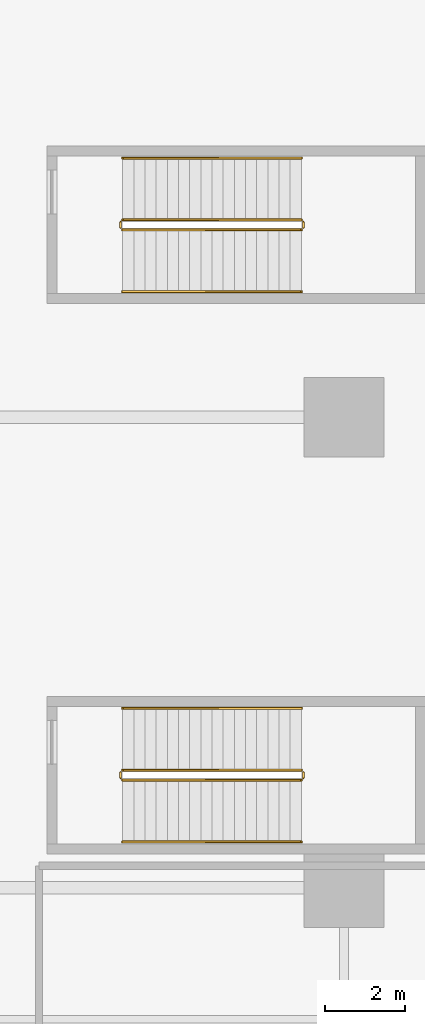
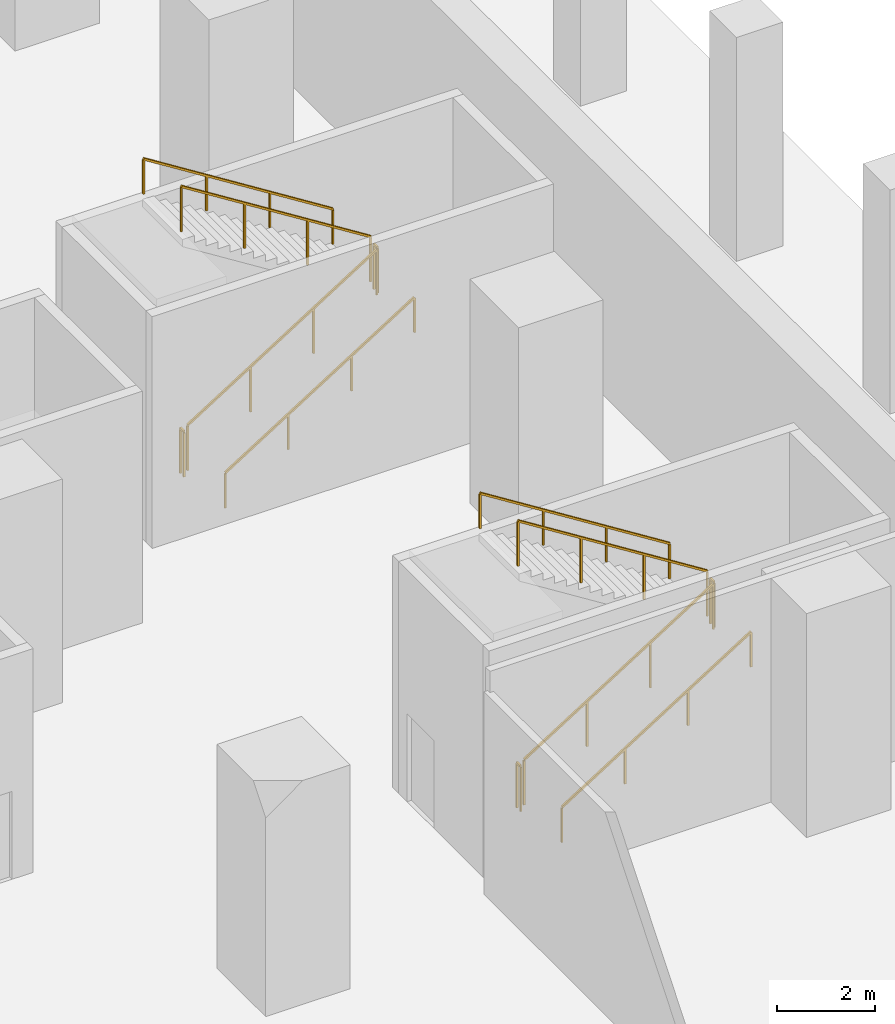
# One storey, part 15 of 16: 12 railings.
"""IFC4 building model written with IfcOpenShell, lengths in metres."""

from ifc_helpers import new_model, si_unit, direction, frame, origin, origin_2d, place, context, subcontext, project, spatial, rectangle, extrude, source, transform, mapped, material, type_object, element, save


model = new_model("IFC4")

# Units and contexts
model_context = context("Model", 3, precision=1e-05, world=origin(), true_north=direction((0.0, 1.0)))
body_context = subcontext(model_context, "Body", "Model", "MODEL_VIEW")
ifc_project = project(units=[si_unit("LENGTHUNIT", "METRE"), si_unit("AREAUNIT", "SQUARE_METRE"), si_unit("VOLUMEUNIT", "CUBIC_METRE"), si_unit("PLANEANGLEUNIT", "RADIAN"), si_unit("MASSUNIT", "GRAM", prefix="KILO")], contexts=[model_context])

# Site, building, storey
site_placement = place(None, origin())
site = spatial("IfcSite", under=ifc_project, at=site_placement, CompositionType="ELEMENT")
building_placement = place(site_placement, origin())
building = spatial("IfcBuilding", under=site, at=building_placement, Name="Vardaveli Station Tower", CompositionType="ELEMENT")
storey_placement = place(building_placement, frame((0.0, 0.0, -6.0)))
storey = spatial("IfcBuildingStorey", under=building, at=storey_placement, Name="B01", CompositionType="ELEMENT", Elevation=-6.0)

# Railings
ifc_material = material(Name="Brushed AISI 316 stainless steel", Category="steel")
railing_type_1 = type_object("IfcRailingType", Name="RL-GUARD-1150", PredefinedType="GUARDRAIL", material=ifc_material)
shared_shape_1 = source(origin(), body_context, "Body", "SweptSolid", [
    extrude(rectangle(XDim=0.048095703125, YDim=0.048095703125, at=origin_2d()), frame((0.0, 0.0, 1.1259765625), z_axis=(0.0, 1.0, 0.0), x_axis=(-1.0, 0.0, 0.0)), (0.0, 0.0, 1.0), 0.14990234375),
    extrude(rectangle(XDim=0.0419921875, YDim=0.0419921875, at=origin_2d()), origin(), (0.0, 0.0, 1.0), 1.101806640625),
    extrude(rectangle(XDim=0.0419921875, YDim=0.0419921875, at=origin_2d()), frame((0.0, 0.14990234375, 0.0)), (0.0, 0.0, 1.0), 1.101806640625),
])
for number, where, name in (
    (1, (71.780029296875, 19.85009765625, 3.0), "B01 ST-C1 stair guard 2"),
    (2, (67.199951171875, 19.85009765625, 0.0), "B01 ST-C1 stair guard 4"),
):
    element("IfcRailing", number, at=place(storey_placement, frame(where)), inside=storey, type_object=railing_type_1, Name=name, PredefinedType="GUARDRAIL", context=body_context, shape_type="MappedRepresentation", body=[
        mapped(shared_shape_1, transform((0.0, 0.0, 0.0), scale=1.0)),
    ])
shared_shape_2 = source(origin(), body_context, "Body", "SweptSolid", [
    extrude(rectangle(XDim=0.048095703125, YDim=0.048095703125, at=origin_2d()), frame((0.0, 0.0, 1.1259765625), z_axis=(0.845997938375, 0.0, 0.533186166611), x_axis=(0.0, 1.0, 0.0)), (0.0, 0.0, 1.0), 5.29541015625),
    extrude(rectangle(XDim=0.0419921875, YDim=0.0419921875, at=origin_2d()), origin(), (0.0, 0.0, 1.0), 1.101806640625),
    extrude(rectangle(XDim=0.0419921875, YDim=0.0419921875, at=origin_2d()), frame((1.493408203125, 0.0, 0.941162109375)), (0.0, 0.0, 1.0), 1.101806640625),
    extrude(rectangle(XDim=0.0419921875, YDim=0.0419921875, at=origin_2d()), frame((2.986572265625, 0.0, 1.88232421875)), (0.0, 0.0, 1.0), 1.101806640625),
    extrude(rectangle(XDim=0.0419921875, YDim=0.0419921875, at=origin_2d()), frame((4.47998046875, 0.0, 2.823486328125)), (0.0, 0.0, 1.0), 1.101806640625),
])
for number, where, name in (
    (3, (67.25, 19.800048828125, 0.176513671875), "B01 ST-C1 stair guard 1"),
    (4, (67.25, 33.60009765625, 0.176513671875), "B01 ST-C2 stair guard 1"),
):
    element("IfcRailing", number, at=place(storey_placement, frame(where)), inside=storey, type_object=railing_type_1, Name=name, PredefinedType="GUARDRAIL", context=body_context, shape_type="MappedRepresentation", body=[
        mapped(shared_shape_2, transform((0.0, 0.0, 0.0), scale=1.0)),
    ])
shared_shape_3 = source(origin(), body_context, "Body", "SweptSolid", [
    extrude(rectangle(XDim=0.048095703125, YDim=0.048095703125, at=origin_2d()), frame((0.0, 0.0, 1.1259765625), z_axis=(-0.845997938375, 0.0, 0.533186166611), x_axis=(0.0, -1.0, 0.0)), (0.0, 0.0, 1.0), 5.29541015625),
    extrude(rectangle(XDim=0.0419921875, YDim=0.0419921875, at=origin_2d()), origin(), (0.0, 0.0, 1.0), 1.101806640625),
    extrude(rectangle(XDim=0.0419921875, YDim=0.0419921875, at=origin_2d()), frame((-1.493408203125, 0.0, 0.941162109375)), (0.0, 0.0, 1.0), 1.101806640625),
    extrude(rectangle(XDim=0.0419921875, YDim=0.0419921875, at=origin_2d()), frame((-2.986572265625, 0.0, 1.88232421875)), (0.0, 0.0, 1.0), 1.101806640625),
    extrude(rectangle(XDim=0.0419921875, YDim=0.0419921875, at=origin_2d()), frame((-4.47998046875, 0.0, 2.823486328125)), (0.0, 0.0, 1.0), 1.101806640625),
])
for number, where, name in (
    (5, (71.72998046875, 20.050048828125, 3.176513671875), "B01 ST-C1 stair guard 3"),
    (6, (71.72998046875, 33.85009765625, 3.176513671875), "B01 ST-C2 stair guard 3"),
):
    element("IfcRailing", number, at=place(storey_placement, frame(where)), inside=storey, type_object=railing_type_1, Name=name, PredefinedType="GUARDRAIL", context=body_context, shape_type="MappedRepresentation", body=[
        mapped(shared_shape_3, transform((0.0, 0.0, 0.0), scale=1.0)),
    ])
railing_type_2 = type_object("IfcRailingType", Name="RL-HAND-900", PredefinedType="HANDRAIL", material=ifc_material)
shared_shape_4 = source(origin(), body_context, "Body", "SweptSolid", [
    extrude(rectangle(XDim=0.048095703125, YDim=0.048095703125, at=origin_2d()), frame((0.0, 0.0, 0.8759765625), z_axis=(0.845997938375, 0.0, 0.533186166611), x_axis=(0.0, 1.0, 0.0)), (0.0, 0.0, 1.0), 5.29541015625),
    extrude(rectangle(XDim=0.0419921875, YDim=0.0419921875, at=origin_2d()), origin(), (0.0, 0.0, 1.0), 0.851806640625),
    extrude(rectangle(XDim=0.0419921875, YDim=0.0419921875, at=origin_2d()), frame((1.493408203125, 0.0, 0.941162109375)), (0.0, 0.0, 1.0), 0.851806640625),
    extrude(rectangle(XDim=0.0419921875, YDim=0.0419921875, at=origin_2d()), frame((2.986572265625, 0.0, 1.88232421875)), (0.0, 0.0, 1.0), 0.851806640625),
    extrude(rectangle(XDim=0.0419921875, YDim=0.0419921875, at=origin_2d()), frame((4.47998046875, 0.0, 2.823486328125)), (0.0, 0.0, 1.0), 0.851806640625),
])
for number, where, name in (
    (7, (67.25, 18.25, 0.176513671875), "B01 ST-C1 stair handrail 1"),
    (8, (67.25, 32.050048828125, 0.176513671875), "B01 ST-C2 stair handrail 1"),
):
    element("IfcRailing", number, at=place(storey_placement, frame(where)), inside=storey, type_object=railing_type_2, Name=name, PredefinedType="HANDRAIL", context=body_context, shape_type="MappedRepresentation", body=[
        mapped(shared_shape_4, transform((0.0, 0.0, 0.0), scale=1.0)),
    ])
shared_shape_5 = source(origin(), body_context, "Body", "SweptSolid", [
    extrude(rectangle(XDim=0.048095703125, YDim=0.048095703125, at=origin_2d()), frame((0.0, 0.0, 0.8759765625), z_axis=(-0.845997938375, 0.0, 0.533186166611), x_axis=(0.0, -1.0, 0.0)), (0.0, 0.0, 1.0), 5.29541015625),
    extrude(rectangle(XDim=0.0419921875, YDim=0.0419921875, at=origin_2d()), origin(), (0.0, 0.0, 1.0), 0.851806640625),
    extrude(rectangle(XDim=0.0419921875, YDim=0.0419921875, at=origin_2d()), frame((-1.493408203125, 0.0, 0.941162109375)), (0.0, 0.0, 1.0), 0.851806640625),
    extrude(rectangle(XDim=0.0419921875, YDim=0.0419921875, at=origin_2d()), frame((-2.986572265625, 0.0, 1.88232421875)), (0.0, 0.0, 1.0), 0.851806640625),
    extrude(rectangle(XDim=0.0419921875, YDim=0.0419921875, at=origin_2d()), frame((-4.47998046875, 0.0, 2.823486328125)), (0.0, 0.0, 1.0), 0.851806640625),
])
for number, where, name in (
    (9, (71.72998046875, 21.60009765625, 3.176513671875), "B01 ST-C1 stair handrail 2"),
    (10, (71.72998046875, 35.39990234375, 3.176513671875), "B01 ST-C2 stair handrail 2"),
):
    element("IfcRailing", number, at=place(storey_placement, frame(where)), inside=storey, type_object=railing_type_2, Name=name, PredefinedType="HANDRAIL", context=body_context, shape_type="MappedRepresentation", body=[
        mapped(shared_shape_5, transform((0.0, 0.0, 0.0), scale=1.0)),
    ])
shared_shape_6 = source(origin(), body_context, "Body", "SweptSolid", [
    extrude(rectangle(XDim=0.048095703125, YDim=0.048095703125, at=origin_2d()), frame((0.0, 0.0, 1.1259765625), z_axis=(0.0, 1.0, 0.0), x_axis=(-1.0, 0.0, 0.0)), (0.0, 0.0, 1.0), 0.150146484375),
    extrude(rectangle(XDim=0.0419921875, YDim=0.0419921875, at=origin_2d()), origin(), (0.0, 0.0, 1.0), 1.101806640625),
    extrude(rectangle(XDim=0.0419921875, YDim=0.0419921875, at=origin_2d()), frame((0.0, 0.150146484375, 0.0)), (0.0, 0.0, 1.0), 1.101806640625),
])
for number, where, name in (
    (11, (71.780029296875, 33.64990234375, 3.0), "B01 ST-C2 stair guard 2"),
    (12, (67.199951171875, 33.64990234375, 0.0), "B01 ST-C2 stair guard 4"),
):
    element("IfcRailing", number, at=place(storey_placement, frame(where)), inside=storey, type_object=railing_type_1, Name=name, PredefinedType="GUARDRAIL", context=body_context, shape_type="MappedRepresentation", body=[
        mapped(shared_shape_6, transform((0.0, 0.0, 0.0), scale=1.0)),
    ])

save(model, "model.ifc")
